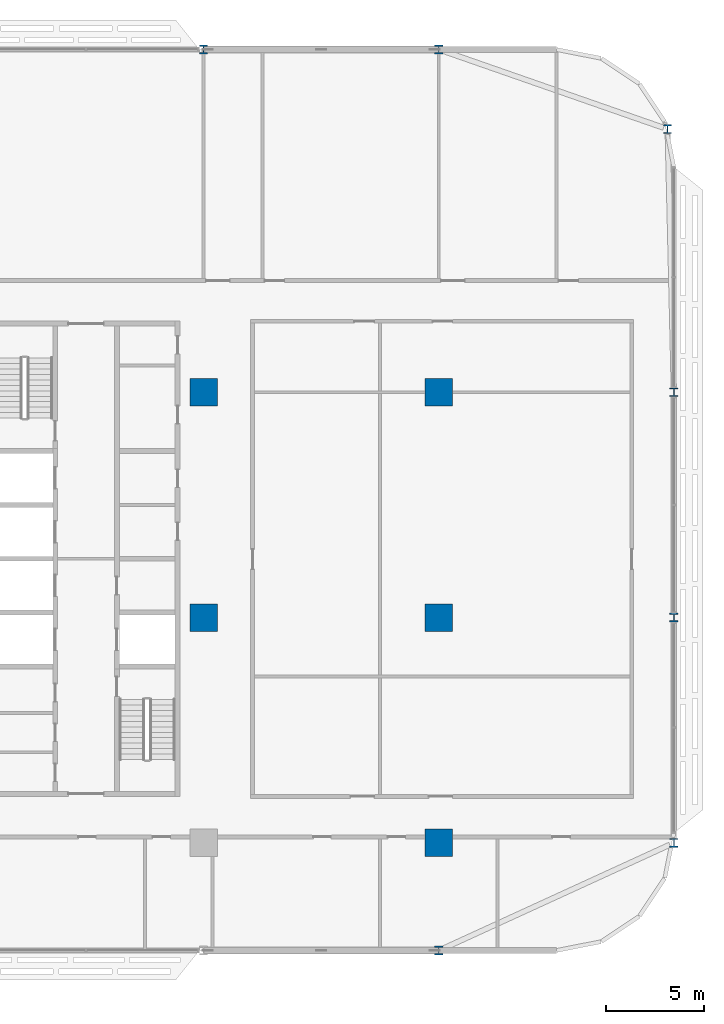
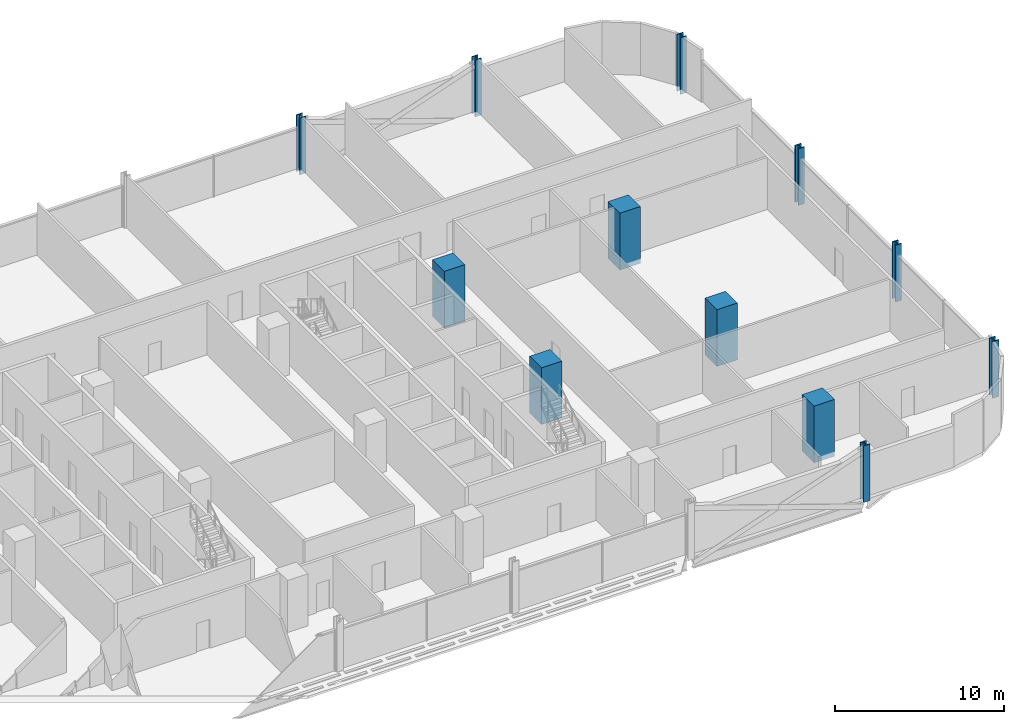
# One storey, part 2 of 29: 12 columns.
"""IFC4 building model written with IfcOpenShell, lengths in metres."""

from ifc_helpers import new_model, si_unit, direction, frame, origin, origin_2d, place, context, subcontext, project, spatial, rectangle, i_section, extrude, material, material_profile, profile_set, type_object, element, save


model = new_model("IFC4")

# Units and contexts
model_context = context("Model", 3, precision=1e-05, world=origin(), true_north=direction((0.0, 1.0)))
body_context = subcontext(model_context, "Body", "Model", "MODEL_VIEW")
ifc_project = project(units=[si_unit("LENGTHUNIT", "METRE"), si_unit("AREAUNIT", "SQUARE_METRE"), si_unit("VOLUMEUNIT", "CUBIC_METRE"), si_unit("PLANEANGLEUNIT", "RADIAN"), si_unit("MASSUNIT", "GRAM", prefix="KILO")], contexts=[model_context])

# Site, building, storey
site_placement = place(None, origin())
site = spatial("IfcSite", under=ifc_project, at=site_placement, CompositionType="ELEMENT")
building_placement = place(site_placement, origin())
building = spatial("IfcBuilding", under=site, at=building_placement, Name="Mahtab Terrace Research Tower", CompositionType="ELEMENT")
storey_placement = place(building_placement, frame((0.0, 0.0, 88.89990234375)))
storey = spatial("IfcBuildingStorey", under=building, at=storey_placement, Name="L20", CompositionType="ELEMENT", Elevation=88.89990234375)

# Columns
ifc_material_1 = material(Name="Concrete C70/85", Category="concrete")
ifc_material_profile_1 = material_profile(ifc_material_1, rectangle(XDim=1.39990234375, YDim=1.39990234375, at=origin_2d()), Name="RC column 1400x1400")
ifc_profile_set_1 = profile_set([ifc_material_profile_1], Name="Concrete C70/85")
column_type_1 = type_object("IfcColumnType", Name="RC column 1400x1400", PredefinedType="COLUMN", material=ifc_profile_set_1)
for number, where, z_axis, x_axis, name in (
    (1, (30.0, 0.0, -0.33984375), (0.0, 0.0, 1.0), (1.0, 0.0, 0.0), "Column RC-7B L20"),
    (2, (30.0, 11.5, -0.33984375), (0.0, 0.0, 1.0), (1.0, 0.0, 0.0), "Column RC-7C L20"),
    (3, (42.0, -11.5, -0.33984375), (0.0, 0.0, 1.0), (1.0, 0.0, 0.0), "Column RC-8A L20"),
    (4, (42.0, 0.0, -0.33984375), (0.0, 0.0, 1.0), (1.0, 0.0, 0.0), "Column RC-8B L20"),
    (5, (42.0, 11.5, -0.33984375), (0.0, 0.0, 1.0), (1.0, 0.0, 0.0), "Column RC-8C L20"),
):
    element("IfcColumn", number, at=place(storey_placement, frame(where, z_axis=z_axis, x_axis=x_axis)), inside=storey, type_object=column_type_1, Name=name, PredefinedType="COLUMN", context=body_context, shape_type="SweptSolid", body=[
        extrude(rectangle(XDim=1.39990234375, YDim=1.39990234375, at=origin_2d()), origin(), (0.0, 0.0, 1.0), 4.099853515625),
    ])
ifc_material_2 = material(Name="Steel ASTM A992 Gr 50", Category="steel")
ifc_material_profile_2 = material_profile(ifc_material_2, i_section(OverallWidth=0.419189453125, OverallDepth=0.45458984375, WebThickness=0.042236328125, FlangeThickness=0.067626953125, at=origin_2d()), Name="W14X370")
ifc_profile_set_2 = profile_set([ifc_material_profile_2], Name="Steel ASTM A992 Gr 50")
column_type_2 = type_object("IfcColumnType", Name="W14x370 column CS14370", PredefinedType="COLUMN", material=ifc_profile_set_2)
for number, where, z_axis, x_axis, name in (
    (6, (53.681884765625, 24.927001953125, -0.33984375), (0.0, 0.0, 1.0), (1.0, 0.0, 0.0), "Column SC-030 L20"),
    (7, (42.0, 29.0, -0.33984375), (0.0, 0.0, 1.0), (1.0, 0.0, 0.0), "Column SC-031 L20"),
    (8, (30.0, 29.0, -0.33984375), (0.0, 0.0, 1.0), (1.0, 0.0, 0.0), "Column SC-032 L20"),
    (9, (42.0, -17.0, -0.33984375), (0.0, 0.0, 1.0), (1.0, 0.0, 0.0), "Column SC-045 L20"),
    (10, (54.0, -11.5, -0.33984375), (0.0, 0.0, 1.0), (1.0, 0.0, 0.0), "Column SC-027 L20"),
    (11, (54.0, 0.0, -0.33984375), (0.0, 0.0, 1.0), (1.0, 0.0, 0.0), "Column SC-028 L20"),
    (12, (54.0, 11.5, -0.33984375), (0.0, 0.0, 1.0), (1.0, 0.0, 0.0), "Column SC-029 L20"),
):
    element("IfcColumn", number, at=place(storey_placement, frame(where, z_axis=z_axis, x_axis=x_axis)), inside=storey, type_object=column_type_2, Name=name, PredefinedType="COLUMN", context=body_context, shape_type="SweptSolid", body=[
        extrude(i_section(OverallWidth=0.419189453125, OverallDepth=0.45458984375, WebThickness=0.042236328125, FlangeThickness=0.067626953125, at=origin_2d()), origin(), (0.0, 0.0, 1.0), 4.099853515625),
    ])

save(model, "model.ifc")
